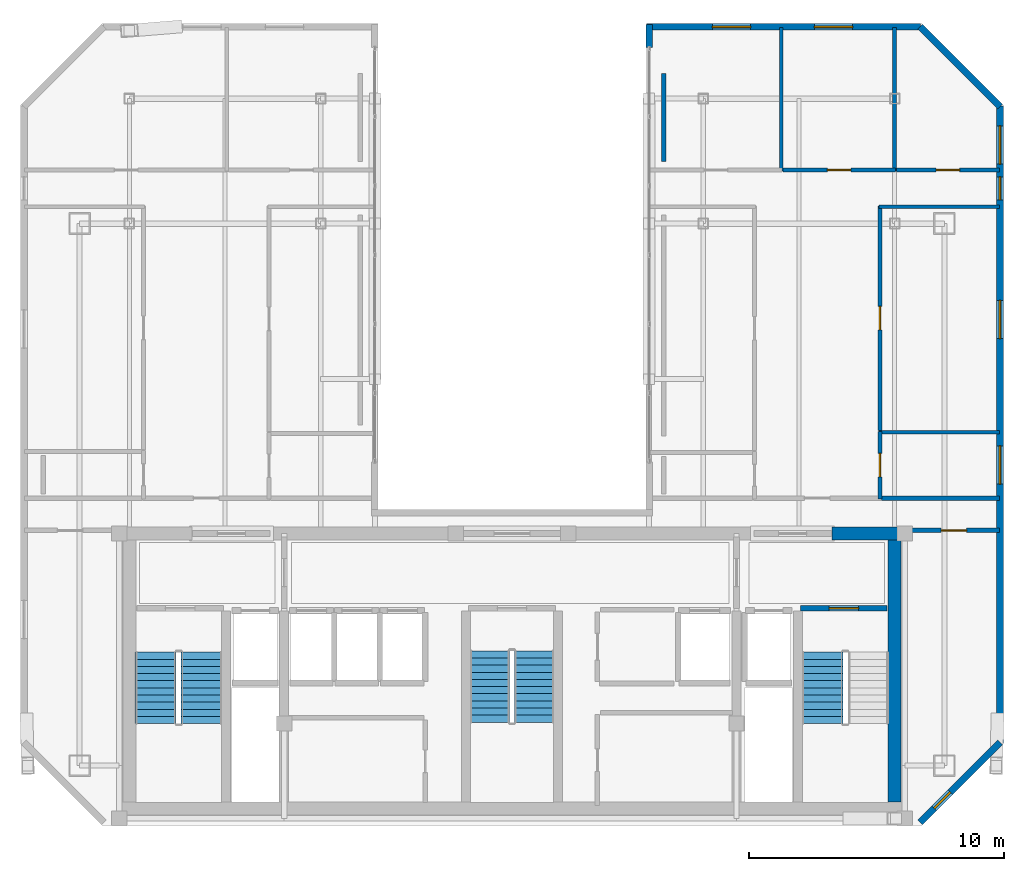
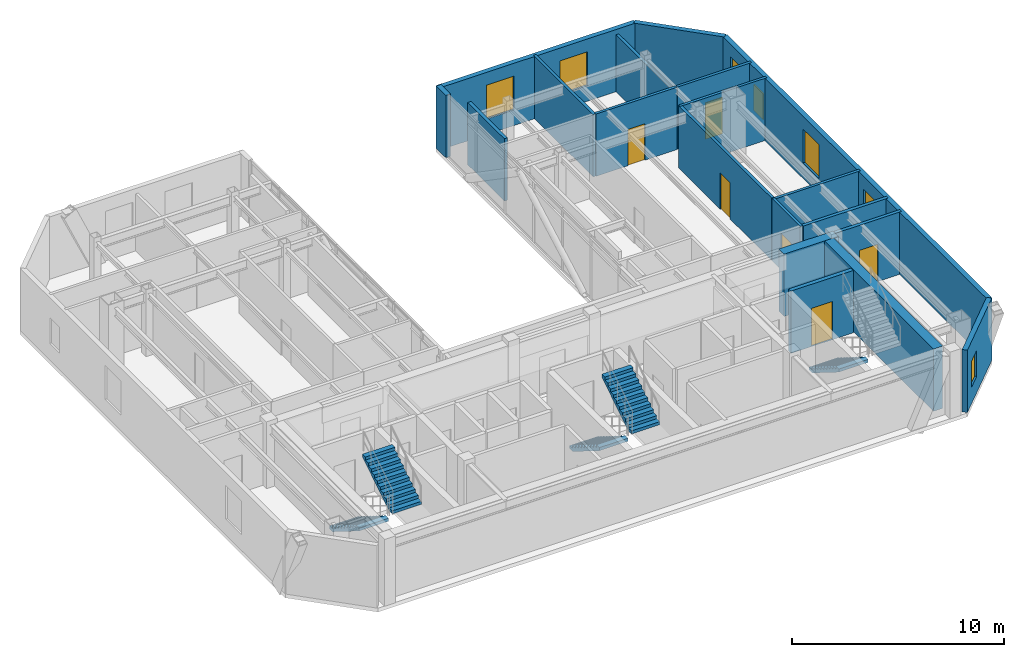
# One storey, part 17 of 19: 19 walls, 7 windows, 6 doors, 5 stair flights, 13 openings, 3 elements without a shape of their own.
"""IFC4 building model written with IfcOpenShell, lengths in metres."""

from ifc_helpers import new_model, si_unit, direction, frame, frame_2d, origin, place, context, subcontext, project, spatial, polyline, rectangle, outline, extrude, material, layer, layer_set, type_object, element, fill, aggregate, save


model = new_model("IFC4")

# Units and contexts
model_context = context("Model", 3, precision=1e-05, world=origin(), true_north=direction((0.0, 1.0)))
body_context = subcontext(model_context, "Body", "Model", "MODEL_VIEW")
ifc_project = project(units=[si_unit("LENGTHUNIT", "METRE"), si_unit("AREAUNIT", "SQUARE_METRE"), si_unit("VOLUMEUNIT", "CUBIC_METRE"), si_unit("PLANEANGLEUNIT", "RADIAN"), si_unit("MASSUNIT", "GRAM", prefix="KILO")], contexts=[model_context])

# Site, building, storey
site_placement = place(None, origin())
site = spatial("IfcSite", under=ifc_project, at=site_placement, CompositionType="ELEMENT")
building_placement = place(site_placement, origin())
building = spatial("IfcBuilding", under=site, at=building_placement, Name="Ventersveld Concourse Tower", CompositionType="ELEMENT")
storey_placement = place(building_placement, frame((0.0, 0.0, 345.199951171875)))
storey = spatial("IfcBuildingStorey", under=building, at=storey_placement, Name="L85", CompositionType="ELEMENT", Elevation=345.199951171875)

# Walls
ifc_material_1 = material(Name="Concrete C50/60", Category="concrete")
ifc_layer_1 = layer(ifc_material_1, 0.5)
ifc_layer_set_1 = layer_set([ifc_layer_1], Name="Concrete C50/60")
wall_type_1 = type_object("IfcWallType", Name="WL-CORE-500", PredefinedType="SHEAR", material=ifc_layer_set_1)
wall_1_placement = place(storey_placement, frame((43.75, 0.919921875, 0.0), z_axis=(0.0, 0.0, 1.0), x_axis=(0.0, 1.0, 0.0)))
element("IfcWall", 1, at=wall_1_placement, inside=storey, type_object=wall_type_1, Name="L85 Rear Core East Shear Wall", PredefinedType="SHEAR", context=body_context, shape_type="SweptSolid", body=[
    extrude(rectangle(XDim=10.530029296875, YDim=0.5, at=frame_2d((5.26513671875, 0.0))), origin(), (0.0, 0.0, 1.0), 3.590087890625),
])
wall_2_placement = place(storey_placement, frame((41.300048828125, 11.449951171875, 0.0), z_axis=(0.0, 0.0, 1.0), x_axis=(1.0, 0.0, 0.0)))
element("IfcWall", 2, at=wall_2_placement, inside=storey, type_object=wall_type_1, Name="L85 Rear Core North Shear Wall NE", PredefinedType="SHEAR", context=body_context, shape_type="SweptSolid", body=[
    extrude(rectangle(XDim=2.949951171875, YDim=0.5, at=frame_2d((1.47509765625, 0.0))), origin(), (0.0, 0.0, 1.0), 3.590087890625),
])

# Wall, opening, door
ifc_material_2 = material(Name="Fire-rated autoclaved aerated masonry blockwork", Category="masonry")
ifc_layer_2 = layer(ifc_material_2, 0.179931640625)
ifc_layer_set_2 = layer_set([ifc_layer_2], Name="Fire-rated autoclaved aerated masonry blockwork")
wall_type_2 = type_object("IfcWallType", Name="WL-CORR-180", PredefinedType="PARTITIONING", material=ifc_layer_set_2)
wall_3_placement = place(storey_placement, frame((44.284912109375, 11.570068359375, 0.0), z_axis=(0.0, 0.0, 1.0), x_axis=(1.0, 0.0, 0.0)))
wall_3 = element("IfcWall", 3, at=wall_3_placement, inside=storey, type_object=wall_type_2, Name="L85 Interior Partition SP-L85-COR-E-SP-L85-SELNG", PredefinedType="PARTITIONING", context=body_context, shape_type="SweptSolid", body=[
    extrude(rectangle(XDim=3.574951171875, YDim=0.179931640625, at=frame_2d((1.78759765625, 0.0))), origin(), (0.0, 0.0, 1.0), 3.590087890625),
])
opening_1_placement = place(wall_3_placement, frame((1.28759765625, 0.0, 0.0)))
opening_1 = element("IfcOpeningElement", 4, at=opening_1_placement, cuts=wall_3, Name="Opening FD3", PredefinedType="OPENING", context=body_context, shape_type="SweptSolid", body=[
    extrude(rectangle(XDim=1.0, YDim=2.14990234375, at=frame_2d((0.5, 1.074951171875))), frame((0.0, 0.10009765625, 0.0), z_axis=(0.0, -1.0, 0.0), x_axis=(1.0, 0.0, 0.0)), (0.0, 0.0, 1.0), 0.199951171875),
])
ifc_material_3 = material(Name="Solid-core hardwood veneer timber", Category="wood")
door_type_1 = type_object("IfcDoorType", Name="DR-FLAT-100", OperationType="NOTDEFINED", PredefinedType="DOOR", material=ifc_material_3)
door_1_placement = place(opening_1_placement, origin())
door_1 = element("IfcDoor", 5, at=door_1_placement, inside=storey, type_object=door_type_1, Name="L85 Interior Door SP-L85-COR-E to SP-L85-SELNG (D-L85-3813)", OperationType="SINGLE_SWING_LEFT", OverallHeight=2.14990234375, OverallWidth=1.0, PredefinedType="DOOR", context=body_context, shape_type="SweptSolid", body=[
    extrude(rectangle(XDim=1.0, YDim=2.14990234375, at=frame_2d((0.5, 1.074951171875))), frame((0.0, 0.02490234375, 0.0), z_axis=(0.0, -1.0, 0.0), x_axis=(1.0, 0.0, 0.0)), (0.0, 0.0, 1.0), 0.050048828125),
])
fill(opening_1, door_1)

# Walls
wall_4_placement = place(storey_placement, frame((43.236572265625, 12.840087890625, 0.0), z_axis=(0.0, 0.0, 1.0), x_axis=(1.0, 0.0, 0.0)))
element("IfcWall", 6, at=wall_4_placement, inside=storey, type_object=wall_type_2, Name="L85 Interior Partition SP-L85-COR-E-SP-L85-85EB-KIT", PredefinedType="PARTITIONING", context=body_context, shape_type="SweptSolid", body=[
    extrude(rectangle(XDim=4.623291015625, YDim=0.179931640625, at=frame_2d((2.3115234375, 0.0))), origin(), (0.0, 0.0, 1.0), 3.590087890625),
])
wall_5_placement = place(storey_placement, frame((34.699951171875, 26.027587890625, 0.0), z_axis=(0.0, 0.0, 1.0), x_axis=(0.0, 1.0, 0.0)))
element("IfcWall", 7, at=wall_5_placement, inside=storey, type_object=wall_type_2, Name="L85 Room Enclosure Wall SP-L85-85EB-BR1", PredefinedType="PARTITIONING", context=body_context, shape_type="SweptSolid", body=[
    extrude(rectangle(XDim=3.45849609375, YDim=0.179931640625, at=frame_2d((1.729248046875, 0.0))), origin(), (0.0, 0.0, 1.0), 3.590087890625),
])

# Wall, opening, door
ifc_layer_3 = layer(ifc_material_2, 0.219970703125)
ifc_layer_set_3 = layer_set([ifc_layer_3], Name="Fire-rated autoclaved aerated masonry blockwork")
wall_type_3 = type_object("IfcWallType", Name="WL-HOIST-220", PredefinedType="SOLIDWALL", material=ifc_layer_set_3)
wall_6_placement = place(storey_placement, frame((40.06005859375, 8.52001953125, 0.0), z_axis=(0.0, 0.0, 1.0), x_axis=(1.0, 0.0, 0.0)))
wall_6 = element("IfcWall", 8, at=wall_6_placement, inside=storey, type_object=wall_type_3, Name="L85 Escape Stair ST02 Fire Wall", PredefinedType="SOLIDWALL", context=body_context, shape_type="SweptSolid", body=[
    extrude(rectangle(XDim=3.39990234375, YDim=0.219970703125, at=frame_2d((1.699951171875, 0.0))), origin(), (0.0, 0.0, 1.0), 3.590087890625),
])
opening_2_placement = place(wall_6_placement, frame((1.125, 0.0, 0.0)))
opening_2 = element("IfcOpeningElement", 9, at=opening_2_placement, cuts=wall_6, Name="Opening FD1", PredefinedType="OPENING", context=body_context, shape_type="SweptSolid", body=[
    extrude(rectangle(XDim=1.14990234375, YDim=2.199951171875, at=frame_2d((0.574951171875, 1.10009765625))), frame((0.0, 0.1201171875, 0.0), z_axis=(0.0, -1.0, 0.0), x_axis=(1.0, 0.0, 0.0)), (0.0, 0.0, 1.0), 0.239990234375),
])
ifc_material_4 = material(Name="Galvanised painted steel", Category="steel")
door_type_2 = type_object("IfcDoorType", Name="DR-STAIR-115", OperationType="NOTDEFINED", PredefinedType="DOOR", material=ifc_material_4)
door_2_placement = place(opening_2_placement, origin())
door_2 = element("IfcDoor", 10, at=door_2_placement, inside=storey, type_object=door_type_2, Name="L85 Escape Stair Door ST02 (SD-L85-3801)", OperationType="SINGLE_SWING_RIGHT", OverallHeight=2.199951171875, OverallWidth=1.14990234375, PredefinedType="DOOR", context=body_context, shape_type="SweptSolid", body=[
    extrude(rectangle(XDim=1.14990234375, YDim=2.199951171875, at=frame_2d((0.574951171875, 1.10009765625))), frame((0.0, 0.02490234375, 0.0), z_axis=(0.0, -1.0, 0.0), x_axis=(1.0, 0.0, 0.0)), (0.0, 0.0, 1.0), 0.050048828125),
])
fill(opening_2, door_2)

ifc_material_5 = material(Name="Autoclaved aerated masonry blockwork", Category="masonry")
ifc_layer_4 = layer(ifc_material_5, 0.14990234375)
ifc_layer_set_4 = layer_set([ifc_layer_4], Name="Autoclaved aerated masonry blockwork")
wall_type_4 = type_object("IfcWallType", Name="WL-INT-150", PredefinedType="PARTITIONING", material=ifc_layer_set_4)
wall_7_placement = place(storey_placement, frame((43.17138671875, 12.804931640625, 0.0), z_axis=(0.0, 0.0, 1.0), x_axis=(0.0, 1.0, 0.0)))
wall_7 = element("IfcWall", 11, at=wall_7_placement, inside=storey, type_object=wall_type_4, Name="L85 Interior Partition SP-L85-85EB-LIV-SP-L85-85EB-KIT", PredefinedType="PARTITIONING", context=body_context, shape_type="SweptSolid", body=[
    extrude(rectangle(XDim=2.653076171875, YDim=0.14990234375, at=frame_2d((1.32666015625, 0.0))), origin(), (0.0, 0.0, 1.0), 3.590087890625),
])
opening_3_placement = place(wall_7_placement, frame((0.866455078125, 0.0, 0.0)))
opening_3 = element("IfcOpeningElement", 12, at=opening_3_placement, cuts=wall_7, Name="Opening ID1", PredefinedType="OPENING", context=body_context, shape_type="SweptSolid", body=[
    extrude(rectangle(XDim=0.919921875, YDim=2.10009765625, at=frame_2d((0.4599609375, 1.050048828125))), frame((0.0, 0.0849609375, 0.0), z_axis=(0.0, -1.0, 0.0), x_axis=(1.0, 0.0, 0.0)), (0.0, 0.0, 1.0), 0.169921875),
])
door_type_3 = type_object("IfcDoorType", Name="DR-ROOM-092", OperationType="NOTDEFINED", PredefinedType="DOOR", material=ifc_material_3)
door_3_placement = place(opening_3_placement, origin())
door_3 = element("IfcDoor", 13, at=door_3_placement, inside=storey, type_object=door_type_3, Name="L85 Interior Door SP-L85-85EB-LIV to SP-L85-85EB-KIT (D-L85-3823)", OperationType="SINGLE_SWING_LEFT", OverallHeight=2.10009765625, OverallWidth=0.919921875, PredefinedType="DOOR", context=body_context, shape_type="SweptSolid", body=[
    extrude(rectangle(XDim=0.919921875, YDim=2.10009765625, at=frame_2d((0.4599609375, 1.050048828125))), frame((0.0, 0.02490234375, 0.0), z_axis=(0.0, -1.0, 0.0), x_axis=(1.0, 0.0, 0.0)), (0.0, 0.0, 1.0), 0.050048828125),
])
fill(opening_3, door_3)

wall_8_placement = place(storey_placement, frame((43.17138671875, 15.48779296875, 0.0), z_axis=(0.0, 0.0, 1.0), x_axis=(0.0, 1.0, 0.0)))
wall_8 = element("IfcWall", 14, at=wall_8_placement, inside=storey, type_object=wall_type_4, Name="L85 Interior Partition SP-L85-85EB-LIV-SP-L85-85EB-DENR", PredefinedType="PARTITIONING", context=body_context, shape_type="SweptSolid", body=[
    extrude(rectangle(XDim=8.809814453125, YDim=0.14990234375, at=frame_2d((4.40478515625, 0.0))), origin(), (0.0, 0.0, 1.0), 3.590087890625),
])
opening_4_placement = place(wall_8_placement, frame((3.94482421875, 0.0, 0.0)))
opening_4 = element("IfcOpeningElement", 15, at=opening_4_placement, cuts=wall_8, Name="Opening ID1", PredefinedType="OPENING", context=body_context, shape_type="SweptSolid", body=[
    extrude(rectangle(XDim=0.919921875, YDim=2.10009765625, at=frame_2d((0.4599609375, 1.050048828125))), frame((0.0, 0.0849609375, 0.0), z_axis=(0.0, -1.0, 0.0), x_axis=(1.0, 0.0, 0.0)), (0.0, 0.0, 1.0), 0.169921875),
])
door_4_placement = place(opening_4_placement, origin())
door_4 = element("IfcDoor", 16, at=door_4_placement, inside=storey, type_object=door_type_3, Name="L85 Interior Door SP-L85-85EB-LIV to SP-L85-85EB-DENR (D-L85-3824)", OperationType="SINGLE_SWING_RIGHT", OverallHeight=2.10009765625, OverallWidth=0.919921875, PredefinedType="DOOR", context=body_context, shape_type="SweptSolid", body=[
    extrude(rectangle(XDim=0.919921875, YDim=2.10009765625, at=frame_2d((0.4599609375, 1.050048828125))), frame((0.0, 0.02490234375, 0.0), z_axis=(0.0, -1.0, 0.0), x_axis=(1.0, 0.0, 0.0)), (0.0, 0.0, 1.0), 0.050048828125),
])
fill(opening_4, door_4)

# Wall
wall_9_placement = place(storey_placement, frame((43.136474609375, 24.262451171875, 0.0), z_axis=(0.0, 0.0, 1.0), x_axis=(1.0, 0.0, 0.0)))
element("IfcWall", 17, at=wall_9_placement, inside=storey, type_object=wall_type_4, Name="L85 Interior Partition SP-L85-85EB-LIV-SP-L85-85EB-DENR", PredefinedType="PARTITIONING", context=body_context, shape_type="SweptSolid", body=[
    extrude(rectangle(XDim=4.723388671875, YDim=0.14990234375, at=frame_2d((2.36181640625, 0.0))), origin(), (0.0, 0.0, 1.0), 3.590087890625),
])

# Wall, opening, door
wall_10_placement = place(storey_placement, frame((39.3720703125, 25.702392578125, 0.0), z_axis=(0.0, 0.0, 1.0), x_axis=(1.0, 0.0, 0.0)))
wall_10 = element("IfcWall", 18, at=wall_10_placement, inside=storey, type_object=wall_type_4, Name="L85 Interior Partition SP-L85-85EB-LIV-SP-L85-85EB-BR2", PredefinedType="PARTITIONING", context=body_context, shape_type="SweptSolid", body=[
    extrude(rectangle(XDim=4.412841796875, YDim=0.14990234375, at=frame_2d((2.20654296875, 0.0))), origin(), (0.0, 0.0, 1.0), 3.590087890625),
])
opening_5_placement = place(wall_10_placement, frame((1.746337890625, 0.0, 0.0)))
opening_5 = element("IfcOpeningElement", 19, at=opening_5_placement, cuts=wall_10, Name="Opening ID1", PredefinedType="OPENING", context=body_context, shape_type="SweptSolid", body=[
    extrude(rectangle(XDim=0.919921875, YDim=2.10009765625, at=frame_2d((0.4599609375, 1.050048828125))), frame((0.0, 0.0849609375, 0.0), z_axis=(0.0, -1.0, 0.0), x_axis=(1.0, 0.0, 0.0)), (0.0, 0.0, 1.0), 0.169921875),
])
door_5_placement = place(opening_5_placement, origin())
door_5 = element("IfcDoor", 20, at=door_5_placement, inside=storey, type_object=door_type_3, Name="L85 Interior Door SP-L85-85EB-LIV to SP-L85-85EB-BR2 (D-L85-3826)", OperationType="SINGLE_SWING_RIGHT", OverallHeight=2.10009765625, OverallWidth=0.919921875, PredefinedType="DOOR", context=body_context, shape_type="SweptSolid", body=[
    extrude(rectangle(XDim=0.919921875, YDim=2.10009765625, at=frame_2d((0.4599609375, 1.050048828125))), frame((0.0, 0.02490234375, 0.0), z_axis=(0.0, -1.0, 0.0), x_axis=(1.0, 0.0, 0.0)), (0.0, 0.0, 1.0), 0.050048828125),
])
fill(opening_5, door_5)

wall_11_placement = place(storey_placement, frame((43.81494140625, 25.702392578125, 0.0), z_axis=(0.0, 0.0, 1.0), x_axis=(1.0, 0.0, 0.0)))
wall_11 = element("IfcWall", 21, at=wall_11_placement, inside=storey, type_object=wall_type_4, Name="L85 Interior Partition SP-L85-85EB-LIV-SP-L85-85EB-BR3", PredefinedType="PARTITIONING", context=body_context, shape_type="SweptSolid", body=[
    extrude(rectangle(XDim=4.044921875, YDim=0.14990234375, at=frame_2d((2.0224609375, 0.0))), origin(), (0.0, 0.0, 1.0), 3.590087890625),
])
opening_6_placement = place(wall_11_placement, frame((1.5625, 0.0, 0.0)))
opening_6 = element("IfcOpeningElement", 22, at=opening_6_placement, cuts=wall_11, Name="Opening ID1", PredefinedType="OPENING", context=body_context, shape_type="SweptSolid", body=[
    extrude(rectangle(XDim=0.919921875, YDim=2.10009765625, at=frame_2d((0.4599609375, 1.050048828125))), frame((0.0, 0.0849609375, 0.0), z_axis=(0.0, -1.0, 0.0), x_axis=(1.0, 0.0, 0.0)), (0.0, 0.0, 1.0), 0.169921875),
])
door_6_placement = place(opening_6_placement, origin())
door_6 = element("IfcDoor", 23, at=door_6_placement, inside=storey, type_object=door_type_3, Name="L85 Interior Door SP-L85-85EB-LIV to SP-L85-85EB-BR3 (D-L85-3827)", OperationType="SINGLE_SWING_LEFT", OverallHeight=2.10009765625, OverallWidth=0.919921875, PredefinedType="DOOR", context=body_context, shape_type="SweptSolid", body=[
    extrude(rectangle(XDim=0.919921875, YDim=2.10009765625, at=frame_2d((0.4599609375, 1.050048828125))), frame((0.0, 0.02490234375, 0.0), z_axis=(0.0, -1.0, 0.0), x_axis=(1.0, 0.0, 0.0)), (0.0, 0.0, 1.0), 0.050048828125),
])
fill(opening_6, door_6)

# Walls
wall_12_placement = place(storey_placement, frame((43.136474609375, 15.4228515625, 0.0), z_axis=(0.0, 0.0, 1.0), x_axis=(1.0, 0.0, 0.0)))
element("IfcWall", 24, at=wall_12_placement, inside=storey, type_object=wall_type_4, Name="L85 Interior Partition SP-L85-85EB-KIT-SP-L85-85EB-DENR", PredefinedType="PARTITIONING", context=body_context, shape_type="SweptSolid", body=[
    extrude(rectangle(XDim=4.723388671875, YDim=0.14990234375, at=frame_2d((2.36181640625, 0.0))), origin(), (0.0, 0.0, 1.0), 3.590087890625),
])
wall_13_placement = place(storey_placement, frame((39.30712890625, 25.66748046875, 0.0), z_axis=(0.0, 0.0, 1.0), x_axis=(0.0, 1.0, 0.0)))
element("IfcWall", 25, at=wall_13_placement, inside=storey, type_object=wall_type_4, Name="L85 Interior Partition SP-L85-85EB-BR1-SP-L85-85EB-BR2", PredefinedType="PARTITIONING", context=body_context, shape_type="SweptSolid", body=[
    extrude(rectangle(XDim=5.62548828125, YDim=0.14990234375, at=frame_2d((2.812744140625, 0.0))), origin(), (0.0, 0.0, 1.0), 3.590087890625),
])
wall_14_placement = place(storey_placement, frame((43.75, 25.66748046875, 0.0), z_axis=(0.0, 0.0, 1.0), x_axis=(0.0, 1.0, 0.0)))
element("IfcWall", 26, at=wall_14_placement, inside=storey, type_object=wall_type_4, Name="L85 Interior Partition SP-L85-85EB-BR2-SP-L85-85EB-BR3", PredefinedType="PARTITIONING", context=body_context, shape_type="SweptSolid", body=[
    extrude(rectangle(XDim=5.62548828125, YDim=0.14990234375, at=frame_2d((2.812744140625, 0.0))), origin(), (0.0, 0.0, 1.0), 3.28662109375),
])

# Wall, opening, window
ifc_material_6 = material(Name="Precast concrete C45/55", Category="concrete")
ifc_layer_5 = layer(ifc_material_6, 0.260009765625)
ifc_layer_set_5 = layer_set([ifc_layer_5], Name="Precast concrete C45/55")
wall_type_5 = type_object("IfcWallType", Name="WL-PREC-260", PredefinedType="SOLIDWALL", material=ifc_layer_set_5)
wall_15_placement = place(storey_placement, frame((44.745849609375, 0.1201171875, 0.0), z_axis=(0.0, 0.0, 1.0), x_axis=(0.707079321262, 0.707134240044, 0.0)))
wall_15 = element("IfcWall", 27, at=wall_15_placement, inside=storey, type_object=wall_type_5, Name="L85 Highveld Precast Facade Wall E02", PredefinedType="SOLIDWALL", context=body_context, shape_type="SweptSolid", body=[
    extrude(rectangle(XDim=4.445556640625, YDim=0.260009765625, at=frame_2d((2.22265625, 0.0))), origin(), (0.0, 0.0, 1.0), 3.590087890625),
])
opening_7_placement = place(wall_15_placement, frame((0.780029296875, 0.0, 0.949951171875)))
opening_7 = element("IfcOpeningElement", 28, at=opening_7_placement, cuts=wall_15, Name="Opening W4", PredefinedType="OPENING", context=body_context, shape_type="SweptSolid", body=[
    extrude(rectangle(XDim=0.89990234375, YDim=1.5, at=frame_2d((0.449951171875, 0.75))), frame((0.0, 0.14013671875, 0.0), z_axis=(0.0, -1.0, 0.0), x_axis=(1.0, 0.0, 0.0)), (0.0, 0.0, 1.0), 0.280029296875),
])
ifc_material_7 = material(Name="Tempered acoustic Low-E IGU", Category="glass")
window_type_1 = type_object("IfcWindowType", Name="WIN-090x150", PartitioningType="SINGLE_PANEL", PredefinedType="WINDOW", material=ifc_material_7)
window_1_placement = place(opening_7_placement, origin())
window_1 = element("IfcWindow", 29, at=window_1_placement, inside=storey, type_object=window_type_1, Name="L85 Punched Low-E Window W-1190", OverallHeight=1.5, OverallWidth=0.89990234375, PartitioningType="SINGLE_PANEL", PredefinedType="WINDOW", context=body_context, shape_type="SweptSolid", body=[
    extrude(rectangle(XDim=0.89990234375, YDim=1.5, at=frame_2d((0.449951171875, 0.75))), frame((0.0, 0.030029296875, 0.0), z_axis=(0.0, -1.0, 0.0), x_axis=(1.0, 0.0, 0.0)), (0.0, 0.0, 1.0), 0.06005859375),
])
fill(opening_7, window_1)

# Wall, openings, windows
wall_16_placement = place(storey_placement, frame((47.87939453125, 3.239990234375, 0.0), z_axis=(0.0, 0.0, 1.0), x_axis=(0.0, 1.0, 0.0)))
wall_16 = element("IfcWall", 30, at=wall_16_placement, inside=storey, type_object=wall_type_5, Name="L85 Highveld Precast Facade Wall E03", PredefinedType="SOLIDWALL", context=body_context, shape_type="SweptSolid", body=[
    extrude(rectangle(XDim=24.96240234375, YDim=0.260009765625, at=frame_2d((12.481201171875, 0.0))), origin(), (0.0, 0.0, 1.0), 3.590087890625),
])
opening_8_placement = place(wall_16_placement, frame((21.29248046875, 0.0, 0.949951171875)))
opening_8 = element("IfcOpeningElement", 31, at=opening_8_placement, cuts=wall_16, Name="Opening W4", PredefinedType="OPENING", context=body_context, shape_type="SweptSolid", body=[
    extrude(rectangle(XDim=0.89990234375, YDim=1.5, at=frame_2d((0.449951171875, 0.75))), frame((0.0, 0.14013671875, 0.0), z_axis=(0.0, -1.0, 0.0), x_axis=(1.0, 0.0, 0.0)), (0.0, 0.0, 1.0), 0.280029296875),
])
opening_9_placement = place(wall_16_placement, frame((10.141357421875, 0.0, 0.89990234375)))
opening_9 = element("IfcOpeningElement", 32, at=opening_9_placement, cuts=wall_16, Name="Opening W1", PredefinedType="OPENING", context=body_context, shape_type="SweptSolid", body=[
    extrude(rectangle(XDim=1.5, YDim=1.949951171875, at=frame_2d((0.75, 0.97509765625))), frame((0.0, 0.14013671875, 0.0), z_axis=(0.0, -1.0, 0.0), x_axis=(1.0, 0.0, 0.0)), (0.0, 0.0, 1.0), 0.280029296875),
])
opening_10_placement = place(wall_16_placement, frame((15.852783203125, 0.0, 0.89990234375)))
opening_10 = element("IfcOpeningElement", 33, at=opening_10_placement, cuts=wall_16, Name="Opening W1", PredefinedType="OPENING", context=body_context, shape_type="SweptSolid", body=[
    extrude(rectangle(XDim=1.5, YDim=1.949951171875, at=frame_2d((0.75, 0.97509765625))), frame((0.0, 0.14013671875, 0.0), z_axis=(0.0, -1.0, 0.0), x_axis=(1.0, 0.0, 0.0)), (0.0, 0.0, 1.0), 0.280029296875),
])
opening_11_placement = place(wall_16_placement, frame((22.6923828125, 0.0, 0.89990234375)))
opening_11 = element("IfcOpeningElement", 34, at=opening_11_placement, cuts=wall_16, Name="Opening W1", PredefinedType="OPENING", context=body_context, shape_type="SweptSolid", body=[
    extrude(rectangle(XDim=1.5, YDim=1.949951171875, at=frame_2d((0.75, 0.97509765625))), frame((0.0, 0.14013671875, 0.0), z_axis=(0.0, -1.0, 0.0), x_axis=(1.0, 0.0, 0.0)), (0.0, 0.0, 1.0), 0.280029296875),
])
window_2_placement = place(opening_8_placement, origin())
window_2 = element("IfcWindow", 35, at=window_2_placement, inside=storey, type_object=window_type_1, Name="L85 Punched Low-E Window W-1195", OverallHeight=1.5, OverallWidth=0.89990234375, PartitioningType="SINGLE_PANEL", PredefinedType="WINDOW", context=body_context, shape_type="SweptSolid", body=[
    extrude(rectangle(XDim=0.89990234375, YDim=1.5, at=frame_2d((0.449951171875, 0.75))), frame((0.0, 0.030029296875, 0.0), z_axis=(0.0, -1.0, 0.0), x_axis=(1.0, 0.0, 0.0)), (0.0, 0.0, 1.0), 0.06005859375),
])
fill(opening_8, window_2)
window_type_2 = type_object("IfcWindowType", Name="WIN-150x210", PartitioningType="SINGLE_PANEL", PredefinedType="WINDOW", material=ifc_material_7)
window_3_placement = place(opening_9_placement, origin())
window_3 = element("IfcWindow", 36, at=window_3_placement, inside=storey, type_object=window_type_2, Name="L85 Punched Low-E Window W-1196", OverallHeight=1.949951171875, OverallWidth=1.5, PartitioningType="SINGLE_PANEL", PredefinedType="WINDOW", context=body_context, shape_type="SweptSolid", body=[
    extrude(rectangle(XDim=1.5, YDim=1.949951171875, at=frame_2d((0.75, 0.97509765625))), frame((0.0, 0.030029296875, 0.0), z_axis=(0.0, -1.0, 0.0), x_axis=(1.0, 0.0, 0.0)), (0.0, 0.0, 1.0), 0.06005859375),
])
fill(opening_9, window_3)
window_4_placement = place(opening_10_placement, origin())
window_4 = element("IfcWindow", 37, at=window_4_placement, inside=storey, type_object=window_type_2, Name="L85 Punched Low-E Window W-1197", OverallHeight=1.949951171875, OverallWidth=1.5, PartitioningType="SINGLE_PANEL", PredefinedType="WINDOW", context=body_context, shape_type="SweptSolid", body=[
    extrude(rectangle(XDim=1.5, YDim=1.949951171875, at=frame_2d((0.75, 0.97509765625))), frame((0.0, 0.030029296875, 0.0), z_axis=(0.0, -1.0, 0.0), x_axis=(1.0, 0.0, 0.0)), (0.0, 0.0, 1.0), 0.06005859375),
])
fill(opening_10, window_4)
window_5_placement = place(opening_11_placement, origin())
window_5 = element("IfcWindow", 38, at=window_5_placement, inside=storey, type_object=window_type_2, Name="L85 Punched Low-E Window W-1200", OverallHeight=1.949951171875, OverallWidth=1.5, PartitioningType="SINGLE_PANEL", PredefinedType="WINDOW", context=body_context, shape_type="SweptSolid", body=[
    extrude(rectangle(XDim=1.5, YDim=1.949951171875, at=frame_2d((0.75, 0.97509765625))), frame((0.0, 0.030029296875, 0.0), z_axis=(0.0, -1.0, 0.0), x_axis=(1.0, 0.0, 0.0)), (0.0, 0.0, 1.0), 0.06005859375),
])
fill(opening_11, window_5)

# Wall
wall_17_placement = place(storey_placement, frame((47.88916015625, 28.178955078125, 0.0), z_axis=(0.0, 0.0, 1.0), x_axis=(-0.707106781187, 0.707106781187, 0.0)))
element("IfcWall", 39, at=wall_17_placement, inside=storey, type_object=wall_type_5, Name="L85 Highveld Precast Facade Wall E04", PredefinedType="SOLIDWALL", context=body_context, shape_type="SweptSolid", body=[
    extrude(rectangle(XDim=4.4453125, YDim=0.260009765625, at=frame_2d((2.22265625, 0.0))), origin(), (0.0, 0.0, 1.0), 3.590087890625),
])

# Wall, openings, windows
wall_18_placement = place(storey_placement, frame((44.769287109375, 31.3125, 0.0), z_axis=(0.0, 0.0, 1.0), x_axis=(-1.0, 0.0, 0.0)))
wall_18 = element("IfcWall", 40, at=wall_18_placement, inside=storey, type_object=wall_type_5, Name="L85 Highveld Precast Facade Wall E05", PredefinedType="SOLIDWALL", context=body_context, shape_type="SweptSolid", body=[
    extrude(rectangle(XDim=10.729248046875, YDim=0.260009765625, at=frame_2d((5.36474609375, 0.0))), origin(), (0.0, 0.0, 1.0), 3.590087890625),
])
opening_12_placement = place(wall_18_placement, frame((6.66552734375, 0.0, 0.89990234375)))
opening_12 = element("IfcOpeningElement", 41, at=opening_12_placement, cuts=wall_18, Name="Opening W1", PredefinedType="OPENING", context=body_context, shape_type="SweptSolid", body=[
    extrude(rectangle(XDim=1.5, YDim=1.949951171875, at=frame_2d((0.75, 0.97509765625))), frame((0.0, 0.14013671875, 0.0), z_axis=(0.0, -1.0, 0.0), x_axis=(1.0, 0.0, 0.0)), (0.0, 0.0, 1.0), 0.280029296875),
])
opening_13_placement = place(wall_18_placement, frame((2.661376953125, 0.0, 0.89990234375)))
opening_13 = element("IfcOpeningElement", 42, at=opening_13_placement, cuts=wall_18, Name="Opening W1", PredefinedType="OPENING", context=body_context, shape_type="SweptSolid", body=[
    extrude(rectangle(XDim=1.5, YDim=1.949951171875, at=frame_2d((0.75, 0.97509765625))), frame((0.0, 0.14013671875, 0.0), z_axis=(0.0, -1.0, 0.0), x_axis=(1.0, 0.0, 0.0)), (0.0, 0.0, 1.0), 0.280029296875),
])
window_6_placement = place(opening_12_placement, origin())
window_6 = element("IfcWindow", 43, at=window_6_placement, inside=storey, type_object=window_type_2, Name="L85 Punched Low-E Window W-1198", OverallHeight=1.949951171875, OverallWidth=1.5, PartitioningType="SINGLE_PANEL", PredefinedType="WINDOW", context=body_context, shape_type="SweptSolid", body=[
    extrude(rectangle(XDim=1.5, YDim=1.949951171875, at=frame_2d((0.75, 0.97509765625))), frame((0.0, 0.030029296875, 0.0), z_axis=(0.0, -1.0, 0.0), x_axis=(1.0, 0.0, 0.0)), (0.0, 0.0, 1.0), 0.06005859375),
])
fill(opening_12, window_6)
window_7_placement = place(opening_13_placement, origin())
window_7 = element("IfcWindow", 44, at=window_7_placement, inside=storey, type_object=window_type_2, Name="L85 Punched Low-E Window W-1199", OverallHeight=1.949951171875, OverallWidth=1.5, PartitioningType="SINGLE_PANEL", PredefinedType="WINDOW", context=body_context, shape_type="SweptSolid", body=[
    extrude(rectangle(XDim=1.5, YDim=1.949951171875, at=frame_2d((0.75, 0.97509765625))), frame((0.0, 0.030029296875, 0.0), z_axis=(0.0, -1.0, 0.0), x_axis=(1.0, 0.0, 0.0)), (0.0, 0.0, 1.0), 0.06005859375),
])
fill(opening_13, window_7)

# Wall
wall_19_placement = place(storey_placement, frame((34.1298828125, 30.50244140625, 0.0), z_axis=(0.0, 0.0, 1.0), x_axis=(0.0, 1.0, 0.0)))
element("IfcWall", 45, at=wall_19_placement, inside=storey, type_object=wall_type_5, Name="L85 Wind Portal North Cheek Pier", PredefinedType="SOLIDWALL", context=body_context, shape_type="SweptSolid", body=[
    extrude(rectangle(XDim=0.900146484375, YDim=0.260009765625, at=frame_2d((0.4501953125, 0.0))), origin(), (0.0, 0.0, 1.0), 3.590087890625),
])

# Stair, stair flights
stair_type_1 = type_object("IfcStairType", Name="ST-DOG-155", PredefinedType="HALF_TURN_STAIR", material=ifc_material_1)
stair_1_placement = place(storey_placement, origin())
stair_1 = element("IfcStair", 46, at=stair_1_placement, inside=storey, type_object=stair_type_1, Name="L85 Protected Central Core Escape Stair ST-03", PredefinedType="HALF_TURN_STAIR")
stair_flight_type_1 = type_object("IfcStairFlightType", Name="STF-RC-155", PredefinedType="STRAIGHT", material=ifc_material_1)
stair_flight_1_placement = place(storey_placement, frame((27.875, 6.85009765625, 0.0), z_axis=(0.0, 0.0, 1.0), x_axis=(0.0, -1.0, 0.0)))
stair_flight_1 = element("IfcStairFlight", 47, at=stair_flight_1_placement, type_object=stair_flight_type_1, Name="ST-03 flight 1", NumberOfRisers=11, NumberOfTreads=10, PredefinedType="STRAIGHT", RiserHeight=0.175, TreadLength=0.28, context=body_context, shape_type="SweptSolid", body=[
    extrude(outline(polyline([(0.0, 0.0), (0.0, 0.175048828125), (0.280029296875, 0.175048828125), (0.280029296875, 0.35009765625), (0.56005859375, 0.35009765625), (0.56005859375, 0.52490234375), (0.840087890625, 0.52490234375), (0.840087890625, 0.699951171875), (1.1201171875, 0.699951171875), (1.1201171875, 0.875), (1.39990234375, 0.875), (1.39990234375, 1.050048828125), (1.679931640625, 1.050048828125), (1.679931640625, 1.22509765625), (1.9599609375, 1.22509765625), (1.9599609375, 1.39990234375), (2.239990234375, 1.39990234375), (2.239990234375, 1.574951171875), (2.52001953125, 1.574951171875), (2.52001953125, 1.75), (2.800048828125, 1.75), (2.800048828125, 1.925048828125), (2.800048828125, 1.5732421875), (0.28271484375, 0.0), (0.0, 0.0)])), frame((0.0, 0.77490234375, 0.0), z_axis=(0.0, -1.0, 0.0), x_axis=(1.0, 0.0, 0.0)), (0.0, 0.0, 1.0), 1.550048828125),
])
stair_flight_2_placement = place(storey_placement, frame((29.625, 4.050048828125, 1.925048828125), z_axis=(0.0, 0.0, 1.0), x_axis=(0.0, 1.0, 0.0)))
stair_flight_2 = element("IfcStairFlight", 48, at=stair_flight_2_placement, type_object=stair_flight_type_1, Name="ST-03 flight 2", NumberOfRisers=11, NumberOfTreads=10, PredefinedType="STRAIGHT", RiserHeight=0.175, TreadLength=0.28, context=body_context, shape_type="SweptSolid", body=[
    extrude(outline(polyline([(0.0, 0.0), (0.0, 0.175048828125), (0.280029296875, 0.175048828125), (0.280029296875, 0.35009765625), (0.56005859375, 0.35009765625), (0.56005859375, 0.52490234375), (0.840087890625, 0.52490234375), (0.840087890625, 0.699951171875), (1.1201171875, 0.699951171875), (1.1201171875, 0.875), (1.39990234375, 0.875), (1.39990234375, 1.050048828125), (1.679931640625, 1.050048828125), (1.679931640625, 1.22509765625), (1.9599609375, 1.22509765625), (1.9599609375, 1.39990234375), (2.239990234375, 1.39990234375), (2.239990234375, 1.574951171875), (2.52001953125, 1.574951171875), (2.52001953125, 1.75), (2.800048828125, 1.75), (2.800048828125, 1.925048828125), (2.800048828125, 1.5732421875), (0.28271484375, 0.0), (0.0, 0.0)])), frame((0.0, 0.77490234375, 0.0), z_axis=(0.0, -1.0, 0.0), x_axis=(1.0, 0.0, 0.0)), (0.0, 0.0, 1.0), 1.550048828125),
])
aggregate(stair_1, [stair_flight_1, stair_flight_2])

stair_type_2 = type_object("IfcStairType", Name="ST-DOG-160", PredefinedType="HALF_TURN_STAIR", material=ifc_material_1)
stair_2_placement = place(storey_placement, origin())
stair_2 = element("IfcStair", 49, at=stair_2_placement, inside=storey, type_object=stair_type_2, Name="L85 Protected Tower Escape Stair ST-01", PredefinedType="HALF_TURN_STAIR")
stair_flight_type_2 = type_object("IfcStairFlightType", Name="STF-RC-160", PredefinedType="STRAIGHT", material=ifc_material_1)
stair_flight_3_placement = place(storey_placement, frame((14.780029296875, 6.800048828125, 0.0), z_axis=(0.0, 0.0, 1.0), x_axis=(0.0, -1.0, 0.0)))
stair_flight_3 = element("IfcStairFlight", 50, at=stair_flight_3_placement, type_object=stair_flight_type_2, Name="ST-01 flight 1", NumberOfRisers=11, NumberOfTreads=10, PredefinedType="STRAIGHT", RiserHeight=0.175, TreadLength=0.28, context=body_context, shape_type="SweptSolid", body=[
    extrude(outline(polyline([(0.0, 0.0), (0.0, 0.175048828125), (0.280029296875, 0.175048828125), (0.280029296875, 0.35009765625), (0.56005859375, 0.35009765625), (0.56005859375, 0.52490234375), (0.840087890625, 0.52490234375), (0.840087890625, 0.699951171875), (1.1201171875, 0.699951171875), (1.1201171875, 0.875), (1.39990234375, 0.875), (1.39990234375, 1.050048828125), (1.679931640625, 1.050048828125), (1.679931640625, 1.22509765625), (1.9599609375, 1.22509765625), (1.9599609375, 1.39990234375), (2.239990234375, 1.39990234375), (2.239990234375, 1.574951171875), (2.52001953125, 1.574951171875), (2.52001953125, 1.75), (2.800048828125, 1.75), (2.800048828125, 1.925048828125), (2.800048828125, 1.5732421875), (0.28271484375, 0.0), (0.0, 0.0)])), frame((0.0, 0.800048828125, 0.0), z_axis=(0.0, -1.0, 0.0), x_axis=(1.0, 0.0, 0.0)), (0.0, 0.0, 1.0), 1.60009765625),
])
stair_flight_4_placement = place(storey_placement, frame((16.580078125, 4.0, 1.925048828125), z_axis=(0.0, 0.0, 1.0), x_axis=(0.0, 1.0, 0.0)))
stair_flight_4 = element("IfcStairFlight", 51, at=stair_flight_4_placement, type_object=stair_flight_type_2, Name="ST-01 flight 2", NumberOfRisers=11, NumberOfTreads=10, PredefinedType="STRAIGHT", RiserHeight=0.175, TreadLength=0.28, context=body_context, shape_type="SweptSolid", body=[
    extrude(outline(polyline([(0.0, 0.0), (0.0, 0.175048828125), (0.280029296875, 0.175048828125), (0.280029296875, 0.35009765625), (0.56005859375, 0.35009765625), (0.56005859375, 0.52490234375), (0.840087890625, 0.52490234375), (0.840087890625, 0.699951171875), (1.1201171875, 0.699951171875), (1.1201171875, 0.875), (1.39990234375, 0.875), (1.39990234375, 1.050048828125), (1.679931640625, 1.050048828125), (1.679931640625, 1.22509765625), (1.9599609375, 1.22509765625), (1.9599609375, 1.39990234375), (2.239990234375, 1.39990234375), (2.239990234375, 1.574951171875), (2.52001953125, 1.574951171875), (2.52001953125, 1.75), (2.800048828125, 1.75), (2.800048828125, 1.925048828125), (2.800048828125, 1.5732421875), (0.28271484375, 0.0), (0.0, 0.0)])), frame((0.0, 0.800048828125, 0.0), z_axis=(0.0, -1.0, 0.0), x_axis=(1.0, 0.0, 0.0)), (0.0, 0.0, 1.0), 1.60009765625),
])
aggregate(stair_2, [stair_flight_3, stair_flight_4])

# Stair, stair flight
stair_3_placement = place(storey_placement, origin())
stair_3 = element("IfcStair", 52, at=stair_3_placement, inside=storey, type_object=stair_type_2, Name="L85 Protected Tower Escape Stair ST-02", PredefinedType="HALF_TURN_STAIR")
stair_flight_5_placement = place(storey_placement, frame((40.919921875, 6.800048828125, 0.0), z_axis=(0.0, 0.0, 1.0), x_axis=(0.0, -1.0, 0.0)))
stair_flight_5 = element("IfcStairFlight", 53, at=stair_flight_5_placement, type_object=stair_flight_type_2, Name="ST-02 flight 1", NumberOfRisers=11, NumberOfTreads=10, PredefinedType="STRAIGHT", RiserHeight=0.175, TreadLength=0.28, context=body_context, shape_type="SweptSolid", body=[
    extrude(outline(polyline([(0.0, 0.0), (0.0, 0.175048828125), (0.280029296875, 0.175048828125), (0.280029296875, 0.35009765625), (0.56005859375, 0.35009765625), (0.56005859375, 0.52490234375), (0.840087890625, 0.52490234375), (0.840087890625, 0.699951171875), (1.1201171875, 0.699951171875), (1.1201171875, 0.875), (1.39990234375, 0.875), (1.39990234375, 1.050048828125), (1.679931640625, 1.050048828125), (1.679931640625, 1.22509765625), (1.9599609375, 1.22509765625), (1.9599609375, 1.39990234375), (2.239990234375, 1.39990234375), (2.239990234375, 1.574951171875), (2.52001953125, 1.574951171875), (2.52001953125, 1.75), (2.800048828125, 1.75), (2.800048828125, 1.925048828125), (2.800048828125, 1.5732421875), (0.28271484375, 0.0), (0.0, 0.0)])), frame((0.0, 0.800048828125, 0.0), z_axis=(0.0, -1.0, 0.0), x_axis=(1.0, 0.0, 0.0)), (0.0, 0.0, 1.0), 1.60009765625),
])
aggregate(stair_3, [stair_flight_5])

save(model, "model.ifc")
